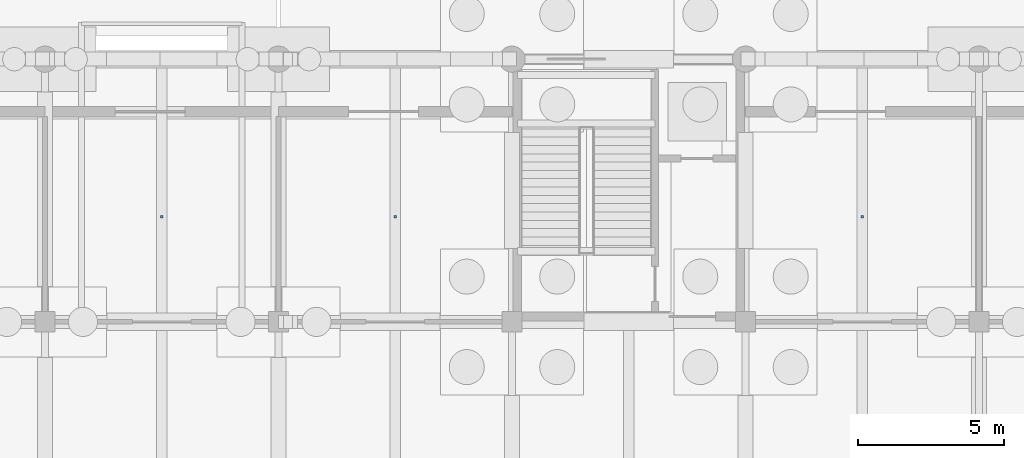
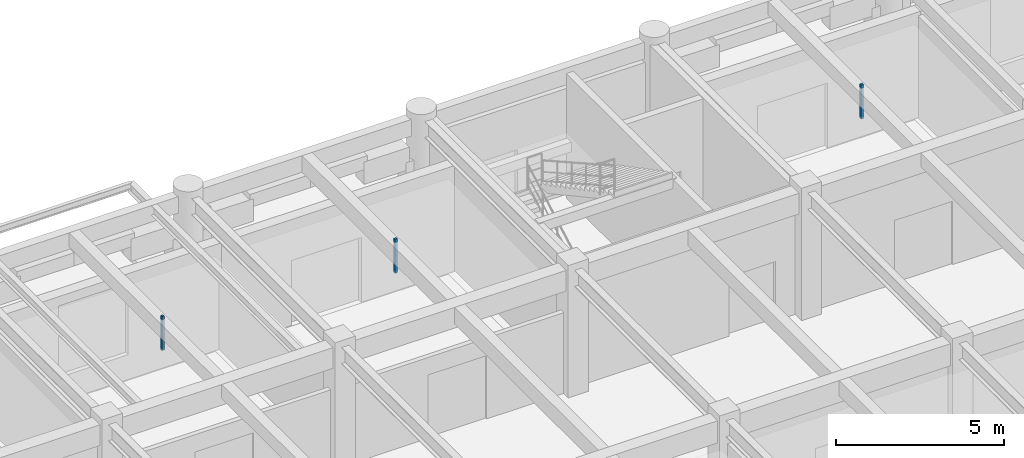
# One storey, part 127 of 147: 3 discrete accessories.
"""IFC4 building model written with IfcOpenShell, lengths in metres."""

from ifc_helpers import new_model, si_unit, direction, frame, origin, origin_2d, place, context, subcontext, project, spatial, rectangle, extrude, material, layer, layer_set, type_object, element, save


model = new_model("IFC4")

# Units and contexts
model_context = context("Model", 3, precision=1e-05, world=origin(), true_north=direction((0.0, 1.0)))
body_context = subcontext(model_context, "Body", "Model", "MODEL_VIEW")
ifc_project = project(units=[si_unit("LENGTHUNIT", "METRE"), si_unit("AREAUNIT", "SQUARE_METRE"), si_unit("VOLUMEUNIT", "CUBIC_METRE"), si_unit("PLANEANGLEUNIT", "RADIAN"), si_unit("MASSUNIT", "GRAM", prefix="KILO")], contexts=[model_context])

# Site, building, storey
site_placement = place(None, origin())
site = spatial("IfcSite", under=ifc_project, at=site_placement, CompositionType="ELEMENT")
building_placement = place(site_placement, origin())
building = spatial("IfcBuilding", under=site, at=building_placement, Name="Varnabhumi Central Station", CompositionType="ELEMENT")
storey_placement = place(building_placement, origin())
storey = spatial("IfcBuildingStorey", under=building, at=storey_placement, Name="L00", CompositionType="ELEMENT", Elevation=0.0)

# Discrete accessories
ifc_material = material(Name="Structural steel E350", Category="steel")
ifc_layer = layer(ifc_material, 0.159912109375, Name="Structural steel E350", Category="steel")
ifc_layer_set = layer_set([ifc_layer], Name="Structural steel E350")
discrete_accessory_type = type_object("IfcDiscreteAccessoryType", Name="ACC-SHADE-BRKT", PredefinedType="BRACKET", material=ifc_layer_set)
for number, where, z_axis, x_axis, name in (
    (1, (116.0, 110.60009765625, 3.43994140625), (0.0, 0.0, 1.0), (1.0, 0.0, 0.0), "Travel Retail Shop 03 Ceiling Hanger"),
    (2, (124.0, 110.60009765625, 3.43994140625), (0.0, 0.0, 1.0), (1.0, 0.0, 0.0), "Station Pharmacy Ceiling Hanger"),
    (3, (140.0, 110.60009765625, 3.43994140625), (0.0, 0.0, 1.0), (1.0, 0.0, 0.0), "Railway Book Stall and Newsagent Ceiling Hanger"),
):
    element("IfcDiscreteAccessory", number, at=place(storey_placement, frame(where, z_axis=z_axis, x_axis=x_axis)), inside=storey, type_object=discrete_accessory_type, Name=name, PredefinedType="BRACKET", context=body_context, shape_type="SweptSolid", body=[
        extrude(rectangle(XDim=0.080078125, YDim=0.080078125, at=origin_2d()), origin(), (0.0, 0.0, 1.0), 1.22998046875),
    ])

save(model, "model.ifc")
